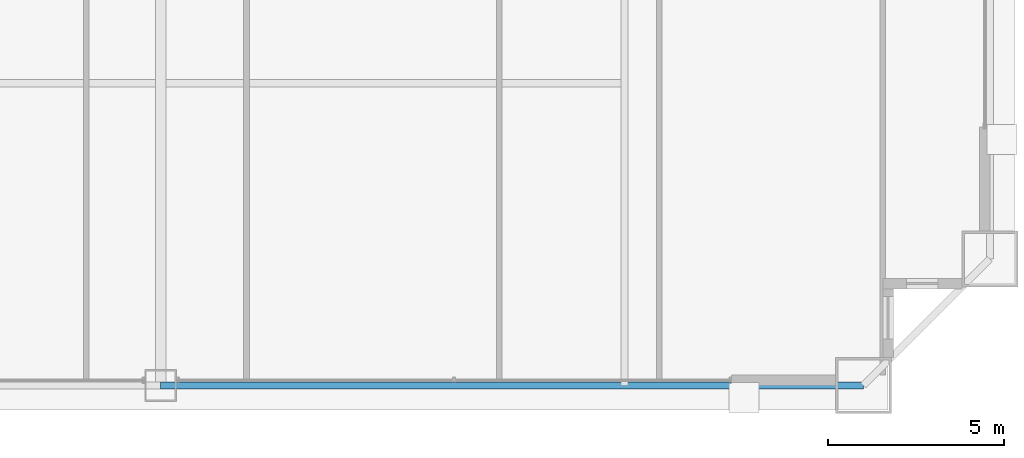
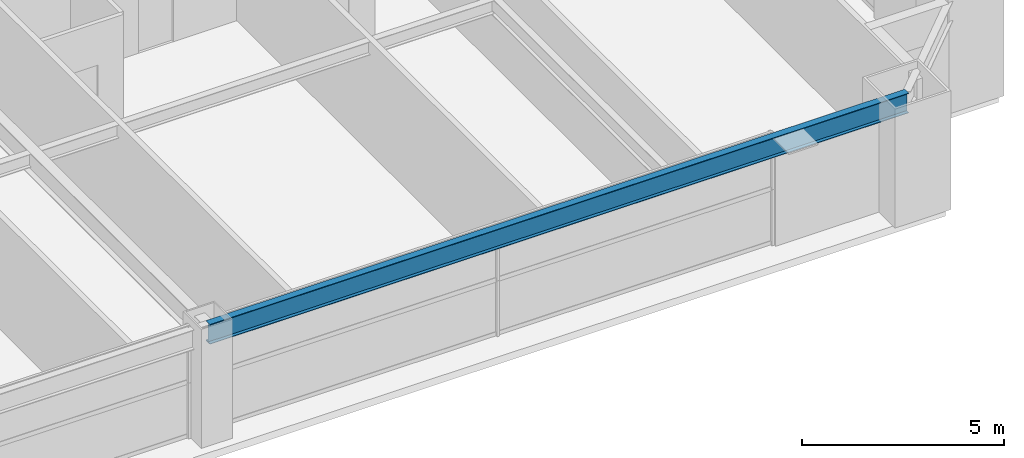
# One storey, part 14 of 38: 1 beam.
"""IFC4 building model written with IfcOpenShell, lengths in metres."""

import ifcopenshell
import ifcopenshell.guid

model = None  # the IFC model being written
_history = None  # IfcOwnerHistory: only IFC2X3 demands one
_inside = {}  # id of a spatial element -> (the spatial element, [elements in it])
_under = {}  # id of a project, library or spatial element -> (it, [spatial elements below it])
_declared = {}  # id of a project -> (the project, [libraries it declares])
_typed = {}  # id of a type object -> (the type object, [elements of that type])
_made_of = {}  # id of a material, layer set ... -> (it, [elements and type objects made of it])


def new_model(schema):
    """Start an empty IFC model of exactly this schema.

    Asked for "IFC4X3", IfcOpenShell would pick the latest addendum, in which some entities
    have other attributes; the version numbers below select the first issue.
    IFC2X3 requires an IfcOwnerHistory on every rooted entity: one is made here for all.
    """
    global model, _history
    if schema == "IFC4X3":
        model = ifcopenshell.file(schema_version=(4, 3, 0, 0))
    else:
        model = ifcopenshell.file(schema=schema)
    _inside.clear()
    _under.clear()
    _declared.clear()
    _typed.clear()
    _made_of.clear()
    _history = None
    if model.schema == "IFC2X3":
        org = make("IfcOrganization", Name="unknown")
        user = make(
            "IfcPersonAndOrganization",
            ThePerson=make("IfcPerson", FamilyName="unknown"),
            TheOrganization=org,
        )
        app = make(
            "IfcApplication",
            ApplicationDeveloper=org,
            Version="unknown",
            ApplicationFullName="unknown",
            ApplicationIdentifier="unknown",
        )
        _history = make(
            "IfcOwnerHistory",
            OwningUser=user,
            OwningApplication=app,
            ChangeAction="ADDED",
            CreationDate=0,
        )
    return model


def make(cls, **values):
    """One entity of the class cls with the attributes given. An attribute that is None is left unset."""
    return model.create_entity(
        cls, **{name: value for name, value in values.items() if value is not None}
    )


def rooted(cls, **values):
    """An entity with a GlobalId (a new one), such as an element, a storey or a relation."""
    return make(cls, GlobalId=ifcopenshell.guid.new(), OwnerHistory=_history, **values)


def si_unit(unit_type, name, prefix=None):
    """IfcSIUnit, for example si_unit("LENGTHUNIT", "METRE", prefix="MILLI")."""
    return make("IfcSIUnit", UnitType=unit_type, Prefix=prefix, Name=name)


def assignment(units):
    """IfcUnitAssignment: the units of a project."""
    return None if units is None else make("IfcUnitAssignment", Units=units)


def point(xyz):
    """IfcCartesianPoint."""
    return None if xyz is None else make("IfcCartesianPoint", Coordinates=xyz)


def direction(xyz):
    """IfcDirection."""
    return None if xyz is None else make("IfcDirection", DirectionRatios=xyz)


def frame(location, z_axis=None, x_axis=None):
    """IfcAxis2Placement3D, a coordinate frame: its origin and axes. An axis left out is left unset."""
    return make(
        "IfcAxis2Placement3D",
        Location=point(location),
        Axis=direction(z_axis),
        RefDirection=direction(x_axis),
    )


def frame_2d(location, x_axis=None):
    """IfcAxis2Placement2D, a coordinate frame in the plane: its origin and x axis."""
    return make(
        "IfcAxis2Placement2D", Location=point(location), RefDirection=direction(x_axis)
    )


def origin():
    """The frame at (0, 0, 0) with its axes left unset."""
    return frame((0.0, 0.0, 0.0))


def origin_2d():
    """The frame at (0, 0) in the plane with its x axis left unset."""
    return frame_2d((0.0, 0.0))


def place(relative_to, where):
    """IfcLocalPlacement: puts the frame where relative to a parent placement (None: the world)."""
    return make(
        "IfcLocalPlacement", PlacementRelTo=relative_to, RelativePlacement=where
    )


def context(
    kind, dimensions, precision=None, world=None, true_north=None, identifier=None
):
    """IfcGeometricRepresentationContext, for example the 3D "Model" context."""
    return make(
        "IfcGeometricRepresentationContext",
        ContextIdentifier=identifier,
        ContextType=kind,
        CoordinateSpaceDimension=dimensions,
        Precision=precision,
        WorldCoordinateSystem=world,
        TrueNorth=true_north,
    )


def subcontext(parent, identifier, kind, view, scale=None):
    """IfcGeometricRepresentationSubContext, for example "Body" below "Model"."""
    return make(
        "IfcGeometricRepresentationSubContext",
        ContextIdentifier=identifier,
        ContextType=kind,
        ParentContext=parent,
        TargetScale=scale,
        TargetView=view,
    )


def project(units=None, contexts=None):
    """IfcProject with its units and contexts."""
    return rooted(
        "IfcProject",
        Name="project",
        RepresentationContexts=contexts,
        UnitsInContext=assignment(units),
    )


def spatial(cls, under=None, at=None, **own):
    """A site, building, storey or space (cls), placed at a placement, below another one or the project."""
    s = rooted(cls, ObjectPlacement=at, **own)
    if under is not None:
        _under.setdefault(under.id(), (under, []))[1].append(s)
    return s


def profile(cls, at=None, kind="AREA", **sizes):
    """A parametric profile (cls). Its sizes go by their IFC names, for example OverallWidth=200.0."""
    return make(cls, ProfileType=kind, Position=at, **sizes)


def i_section(**sizes):
    """IfcIShapeProfileDef."""
    return profile("IfcIShapeProfileDef", **sizes)


def extrude(swept, where, along, depth):
    """IfcExtrudedAreaSolid: the profile swept, set in the frame where, extruded along a direction by depth."""
    return make(
        "IfcExtrudedAreaSolid",
        SweptArea=swept,
        Position=where,
        ExtrudedDirection=direction(along),
        Depth=depth,
    )


def shape(context_of_items, identifier, shape_type, items):
    """IfcShapeRepresentation: the items that make up one representation, for example the "Body"."""
    return make(
        "IfcShapeRepresentation",
        ContextOfItems=context_of_items,
        RepresentationIdentifier=identifier,
        RepresentationType=shape_type,
        Items=items,
    )


def source(mapping_origin, context_of_items, identifier, shape_type, items):
    """IfcRepresentationMap: a shape defined once, which mapped items show again and again."""
    return make(
        "IfcRepresentationMap",
        MappingOrigin=mapping_origin,
        MappedRepresentation=shape(context_of_items, identifier, shape_type, items),
    )


def transform(
    local_origin,
    x_axis=None,
    y_axis=None,
    z_axis=None,
    scale=None,
    scale2=None,
    scale3=None,
    uniform=True,
):
    """IfcCartesianTransformationOperator3D, or its non-uniform kind. x_axis, y_axis, z_axis: its Axis1, 2, 3."""
    if uniform:
        return make(
            "IfcCartesianTransformationOperator3D",
            Axis1=direction(x_axis),
            Axis2=direction(y_axis),
            LocalOrigin=point(local_origin),
            Scale=scale,
            Axis3=direction(z_axis),
        )
    return make(
        "IfcCartesianTransformationOperator3DnonUniform",
        Axis1=direction(x_axis),
        Axis2=direction(y_axis),
        LocalOrigin=point(local_origin),
        Scale=scale,
        Axis3=direction(z_axis),
        Scale2=scale2,
        Scale3=scale3,
    )


def mapped(mapping_source, mapping_target):
    """IfcMappedItem: shows the shape of a source again, moved by a transform."""
    return make(
        "IfcMappedItem", MappingSource=mapping_source, MappingTarget=mapping_target
    )


def material(Name=None, Category=None):
    """IfcMaterial."""
    return make("IfcMaterial", Name=Name, Category=Category)


def material_profile(
    of_material, cross_section, Name=None, Category=None, Priority=None
):
    """IfcMaterialProfile: a cross section and its material."""
    return make(
        "IfcMaterialProfile",
        Name=Name,
        Material=of_material,
        Profile=cross_section,
        Priority=Priority,
        Category=Category,
    )


def profile_set(profiles, Name=None, composite=None):
    """IfcMaterialProfileSet."""
    return make(
        "IfcMaterialProfileSet",
        Name=Name,
        MaterialProfiles=profiles,
        CompositeProfile=composite,
    )


def made_of(thing, what):
    """Note that an element or type object is made of a material, layer set ...; save() writes the relation."""
    if what is not None:
        _made_of.setdefault(what.id(), (what, []))[1].append(thing)
    return thing


def type_object(cls, material=None, **own):
    """A type object (cls), such as IfcWallType, which elements share."""
    return made_of(rooted(cls, **own), material)


def element(
    cls,
    number,
    at=None,
    inside=None,
    cuts=None,
    type_object=None,
    material=None,
    context=None,
    identifier="Body",
    shape_type=None,
    held_by="IfcProductDefinitionShape",
    body=None,
    shapes=None,
    **own,
):
    """One element of the class cls, such as IfcWall. Its Tag is "e" and its number.

    at: its placement. inside: the storey or other place that contains it. cuts: it is an
    opening in that element (IfcRelVoidsElement). A single representation is given by context,
    identifier, shape_type and body (its items); several are given by shapes. held_by: the class
    of the entity that holds the representations. save() writes the other relations.
    """
    e = rooted(cls, Tag="e%d" % number, ObjectPlacement=at, **own)
    if body is not None:
        shapes = [shape(context, identifier, shape_type, body)]
    if shapes is not None:
        e.Representation = make(held_by, Representations=shapes)
    if inside is not None:
        _inside.setdefault(inside.id(), (inside, []))[1].append(e)
    if cuts is not None:
        rooted(
            "IfcRelVoidsElement", RelatingBuildingElement=cuts, RelatedOpeningElement=e
        )
    if type_object is not None:
        _typed.setdefault(type_object.id(), (type_object, []))[1].append(e)
    return made_of(e, material)


def aggregate(whole, parts):
    """IfcRelAggregates: a whole, such as a stair, and the parts it consists of."""
    return rooted("IfcRelAggregates", RelatingObject=whole, RelatedObjects=parts)


def save(model, path):
    """Write the relations noted so far, then the file.

    IfcRelAggregates (storeys below a building ...), IfcRelContainedInSpatialStructure (elements
    in a storey), IfcRelDefinesByType, IfcRelAssociatesMaterial and IfcRelDeclares: one each for
    every whole, place, type object, material and project.
    """
    for whole, parts in _under.values():
        aggregate(whole, parts)
    for where, things in _inside.values():
        rooted(
            "IfcRelContainedInSpatialStructure",
            RelatedElements=things,
            RelatingStructure=where,
        )
    for kind, things in _typed.values():
        rooted("IfcRelDefinesByType", RelatedObjects=things, RelatingType=kind)
    for what, things in _made_of.values():
        rooted("IfcRelAssociatesMaterial", RelatedObjects=things, RelatingMaterial=what)
    for by, libraries in _declared.values():
        rooted("IfcRelDeclares", RelatingContext=by, RelatedDefinitions=libraries)
    model.write(path)


model = new_model("IFC4")

# Units and contexts
model_context = context("Model", 3, precision=1e-05, world=origin(), true_north=direction((0.0, 1.0)))
body_context = subcontext(model_context, "Body", "Model", "MODEL_VIEW")
ifc_project = project(units=[si_unit("LENGTHUNIT", "METRE"), si_unit("AREAUNIT", "SQUARE_METRE"), si_unit("VOLUMEUNIT", "CUBIC_METRE"), si_unit("PLANEANGLEUNIT", "RADIAN"), si_unit("MASSUNIT", "GRAM", prefix="KILO"), si_unit("THERMODYNAMICTEMPERATUREUNIT", "KELVIN"), si_unit("POWERUNIT", "WATT")], contexts=[model_context])

# Site, building, storey
site_placement = place(None, origin())
site = spatial("IfcSite", under=ifc_project, at=site_placement, CompositionType="ELEMENT")
building_placement = place(site_placement, origin())
building = spatial("IfcBuilding", under=site, at=building_placement, Name="Yuzanri Waterfront Tower", CompositionType="ELEMENT")
storey_placement = place(building_placement, frame((0.0, 0.0, 90.199951171875)))
storey = spatial("IfcBuildingStorey", under=building, at=storey_placement, Name="L23", CompositionType="ELEMENT", Elevation=90.199951171875)

# Beam
ifc_material = material(Name="Steel Q355B", Category="steel")
ifc_material_profile = material_profile(ifc_material, i_section(OverallWidth=0.199951171875, OverallDepth=0.60009765625, WebThickness=0.010986328125, FlangeThickness=0.01708984375, at=origin_2d()), Name="HN 600x200x11x17")
ifc_profile_set = profile_set([ifc_material_profile], Name="Steel Q355B")
beam_type = type_object("IfcBeamType", Name="Perimeter Spandrel Q355B HN 600x200", PredefinedType="SPANDREL", material=ifc_profile_set)
shared_shape = source(origin(), body_context, "Body", "SweptSolid", [
    extrude(i_section(OverallWidth=0.199951171875, OverallDepth=0.60009765625, WebThickness=0.010986328125, FlangeThickness=0.01708984375, at=origin_2d()), origin(), (0.0, 0.0, 1.0), 20.0),
])
beam_placement = place(storey_placement, frame((37.0, 2.199951171875, 3.080078125), z_axis=(1.0, 0.0, 0.0), x_axis=(0.0, 1.0, 0.0)))
element("IfcBeam", 1, at=beam_placement, inside=storey, type_object=beam_type, Name="L23 Perimeter Spandrel S2-S3", PredefinedType="SPANDREL", context=body_context, shape_type="MappedRepresentation", body=[
    mapped(shared_shape, transform((0.0, 0.0, 0.0), scale=1.0)),
])

save(model, "model.ifc")
